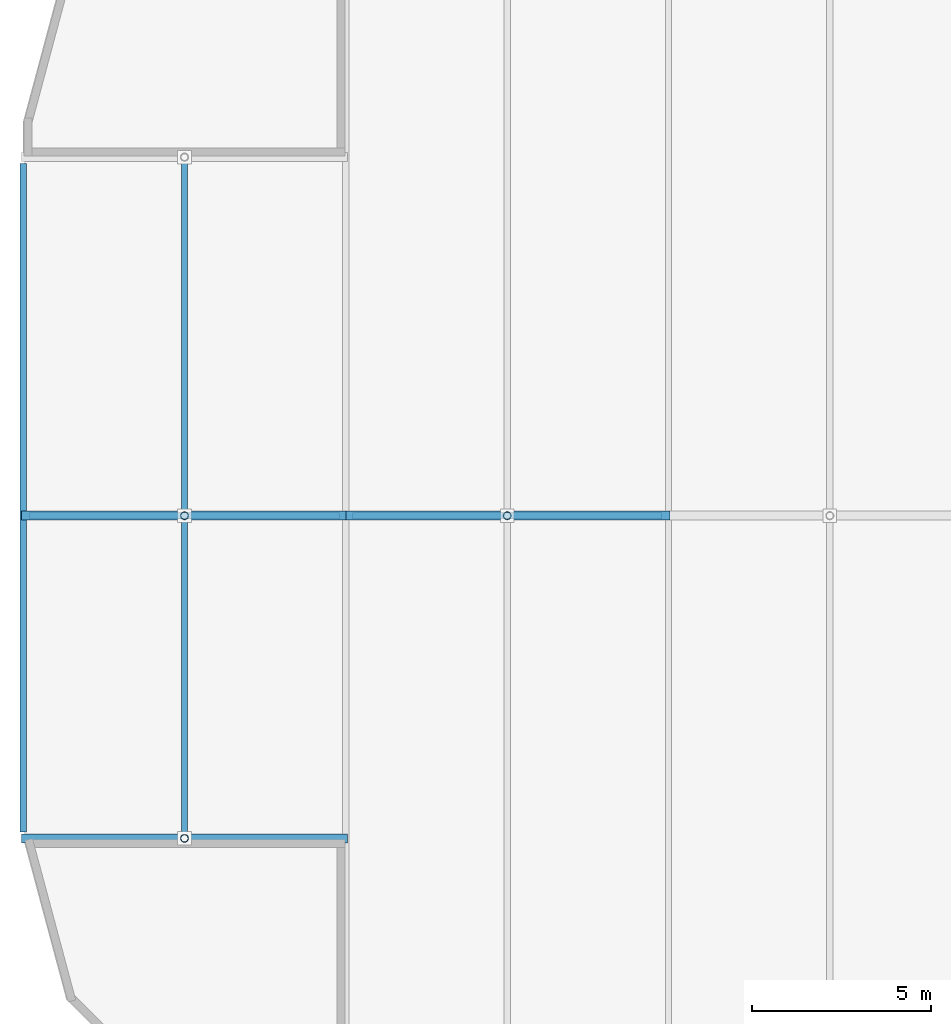
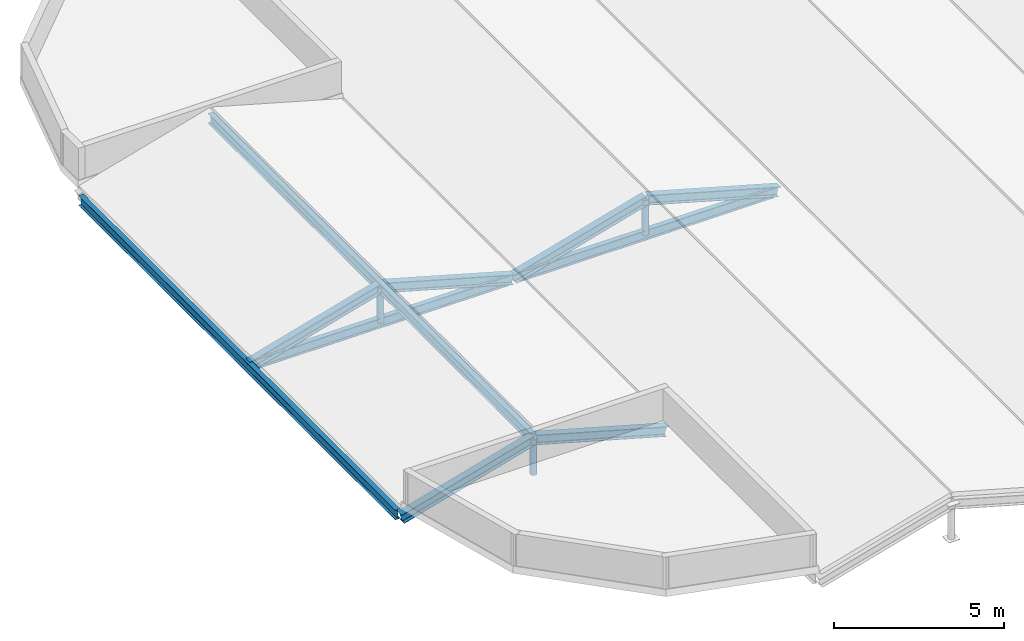
# One storey, part 12 of 40: 10 members, 3 beams.
"""IFC4 building model written with IfcOpenShell, lengths in metres."""

from ifc_helpers import new_model, si_unit, direction, frame, origin, origin_2d, place, context, subcontext, project, spatial, hollow_circle, i_section, extrude, material, material_profile, profile_set, type_object, element, save


model = new_model("IFC4")

# Units and contexts
model_context = context("Model", 3, precision=1e-05, world=origin(), true_north=direction((0.0, 1.0)))
body_context = subcontext(model_context, "Body", "Model", "MODEL_VIEW")
ifc_project = project(units=[si_unit("LENGTHUNIT", "METRE"), si_unit("AREAUNIT", "SQUARE_METRE"), si_unit("VOLUMEUNIT", "CUBIC_METRE"), si_unit("PLANEANGLEUNIT", "RADIAN"), si_unit("MASSUNIT", "GRAM", prefix="KILO")], contexts=[model_context])

# Site, building, storey
site_placement = place(None, origin())
site = spatial("IfcSite", under=ifc_project, at=site_placement, CompositionType="ELEMENT")
building_placement = place(site_placement, origin())
building = spatial("IfcBuilding", under=site, at=building_placement, Name="Suzunagisa Mobility Hub", CompositionType="ELEMENT")
storey_placement = place(building_placement, frame((0.0, 0.0, 21.89990234375)))
storey = spatial("IfcBuildingStorey", under=building, at=storey_placement, Name="L05", CompositionType="ELEMENT", Elevation=21.89990234375)

# Members
ifc_material_1 = material(Name="Steel SN400B", Category="steel")
ifc_material_profile_1 = material_profile(ifc_material_1, i_section(OverallWidth=0.25, OverallDepth=0.340087890625, WebThickness=0.009033203125, FlangeThickness=0.013916015625, FilletRadius=0.010009765625, at=origin_2d()), Name="H-340x250x9x14")
ifc_profile_set_1 = profile_set([ifc_material_profile_1], Name="Steel SN400B")
member_type_1 = type_object("IfcMemberType", Name="Roof Truss and Brace Member MB-11 H-340x250x9x14", PredefinedType="RAFTER", material=ifc_profile_set_1)
for number, where, z_axis, x_axis, name in (
    (1, (0.0, 89.0, -0.3798828125), (0.962514716328, 0.0, 0.271229461622), (0.0, 1.0, 0.0), "L05 Ramp Canopy Rafter 213"),
    (2, (9.0, 89.0, -0.3798828125), (-0.962514716328, 0.0, 0.271229461622), (0.0, -1.0, 0.0), "L05 Ramp Canopy Rafter 214"),
    (3, (0.0, 98.0, -0.3798828125), (0.962514716328, 0.0, 0.271229461622), (0.0, 1.0, 0.0), "L05 Ramp Canopy Rafter 216"),
    (4, (9.0, 98.0, -0.3798828125), (-0.962514716328, 0.0, 0.271229461622), (0.0, -1.0, 0.0), "L05 Ramp Canopy Rafter 217"),
    (5, (9.0, 98.0, -0.3798828125), (0.962514716328, 0.0, 0.271229461622), (0.0, 1.0, 0.0), "L05 Ramp Canopy Rafter 226"),
    (6, (18.0, 98.0, -0.3798828125), (-0.962514716328, 0.0, 0.271229461622), (0.0, -1.0, 0.0), "L05 Ramp Canopy Rafter 227"),
):
    element("IfcMember", number, at=place(storey_placement, frame(where, z_axis=z_axis, x_axis=x_axis)), inside=storey, type_object=member_type_1, Name=name, PredefinedType="RAFTER", context=body_context, shape_type="SweptSolid", body=[
        extrude(i_section(OverallWidth=0.25, OverallDepth=0.340087890625, WebThickness=0.009033203125, FlangeThickness=0.013916015625, FilletRadius=0.010009765625, at=origin_2d()), origin(), (0.0, 0.0, 1.0), 4.67529296875),
    ])
ifc_material_2 = material(Name="Steel SN490B", Category="steel")
ifc_material_profile_2 = material_profile(ifc_material_2, i_section(OverallWidth=0.175048828125, OverallDepth=0.35009765625, WebThickness=0.007080078125, FlangeThickness=0.010986328125, FilletRadius=0.008056640625, at=origin_2d()), Name="H-350x175x7x11")
ifc_profile_set_2 = profile_set([ifc_material_profile_2], Name="Steel SN490B")
member_type_2 = type_object("IfcMemberType", Name="Roof Truss and Brace Member MB-12 H-350x175x7x11", PredefinedType="CHORD", material=ifc_profile_set_2)
member_placement = place(storey_placement, frame((4.5, 89.0, 0.88818359375), z_axis=(0.0, 1.0, 0.0), x_axis=(-1.0, 0.0, 0.0)))
element("IfcMember", 7, at=member_placement, inside=storey, type_object=member_type_2, Name="L05 Ramp Canopy Ridge Chord 1", PredefinedType="CHORD", context=body_context, shape_type="SweptSolid", body=[
    extrude(i_section(OverallWidth=0.175048828125, OverallDepth=0.35009765625, WebThickness=0.007080078125, FlangeThickness=0.010986328125, FilletRadius=0.008056640625, at=origin_2d()), origin(), (0.0, 0.0, 1.0), 19.0),
])
ifc_material_profile_3 = material_profile(ifc_material_1, hollow_circle(Radius=0.108154296875, WallThickness=0.00830078125, at=origin_2d()), Name="CHS-216.3x8.2")
ifc_profile_set_3 = profile_set([ifc_material_profile_3], Name="Steel SN400B")
member_type_3 = type_object("IfcMemberType", Name="Roof Truss and Brace Member MB-14 CHS-216.3x8.2", PredefinedType="POST", material=ifc_profile_set_3)
for number, where, z_axis, x_axis, name in (
    (8, (4.5, 89.0, -0.3798828125), (0.0, 0.0, 1.0), (1.0, 0.0, 0.0), "L05 Ramp Canopy Truss Post 212"),
    (9, (4.5, 98.0, -0.3798828125), (0.0, 0.0, 1.0), (1.0, 0.0, 0.0), "L05 Ramp Canopy Truss Post 215"),
    (10, (13.5, 98.0, -0.3798828125), (0.0, 0.0, 1.0), (1.0, 0.0, 0.0), "L05 Ramp Canopy Truss Post 225"),
):
    element("IfcMember", number, at=place(storey_placement, frame(where, z_axis=z_axis, x_axis=x_axis)), inside=storey, type_object=member_type_3, Name=name, PredefinedType="POST", context=body_context, shape_type="SweptSolid", body=[
        extrude(hollow_circle(Radius=0.108154296875, WallThickness=0.00830078125, at=origin_2d()), origin(), (0.0, 0.0, 1.0), 1.26806640625),
    ])

# Beams
ifc_material_profile_4 = material_profile(ifc_material_1, i_section(OverallWidth=0.175048828125, OverallDepth=0.35009765625, WebThickness=0.007080078125, FlangeThickness=0.010986328125, FilletRadius=0.008056640625, at=origin_2d()), Name="H-350x175x7x11")
ifc_profile_set_4 = profile_set([ifc_material_profile_4], Name="Steel SN400B")
beam_type_1 = type_object("IfcBeamType", Name="Steel Beam BM-03 H-350x175x7x11", PredefinedType="JOIST", material=ifc_profile_set_4)
for number, where, z_axis, x_axis, name in (
    (11, (0.179931640625, 98.0, -0.3798828125), (1.0, 0.0, 0.0), (0.0, 1.0, 0.0), "L05 Ramp Canopy Truss Tie 2259"),
    (12, (9.179931640625, 98.0, -0.3798828125), (1.0, 0.0, 0.0), (0.0, 1.0, 0.0), "L05 Ramp Canopy Truss Tie 2260"),
):
    element("IfcBeam", number, at=place(storey_placement, frame(where, z_axis=z_axis, x_axis=x_axis)), inside=storey, type_object=beam_type_1, Name=name, PredefinedType="JOIST", context=body_context, shape_type="SweptSolid", body=[
        extrude(i_section(OverallWidth=0.175048828125, OverallDepth=0.35009765625, WebThickness=0.007080078125, FlangeThickness=0.010986328125, FilletRadius=0.008056640625, at=origin_2d()), origin(), (0.0, 0.0, 1.0), 8.64013671875),
    ])
ifc_material_profile_5 = material_profile(ifc_material_2, i_section(OverallWidth=0.175048828125, OverallDepth=0.35009765625, WebThickness=0.007080078125, FlangeThickness=0.010986328125, FilletRadius=0.008056640625, at=origin_2d()), Name="H-350x175x7x11")
ifc_profile_set_5 = profile_set([ifc_material_profile_5], Name="Steel SN490B")
beam_type_2 = type_object("IfcBeamType", Name="Steel Beam BM-19 H-350x175x7x11", PredefinedType="BEAM", material=ifc_profile_set_5)
beam_placement = place(storey_placement, frame((0.0, 89.179931640625, -0.3798828125), z_axis=(0.0, 1.0, 0.0), x_axis=(-1.0, 0.0, 0.0)))
element("IfcBeam", 13, at=beam_placement, inside=storey, type_object=beam_type_2, Name="L05 Ramp Drum Canopy Valley Rib 2254", PredefinedType="BEAM", context=body_context, shape_type="SweptSolid", body=[
    extrude(i_section(OverallWidth=0.175048828125, OverallDepth=0.35009765625, WebThickness=0.007080078125, FlangeThickness=0.010986328125, FilletRadius=0.008056640625, at=origin_2d()), origin(), (0.0, 0.0, 1.0), 18.64013671875),
])

save(model, "model.ifc")
